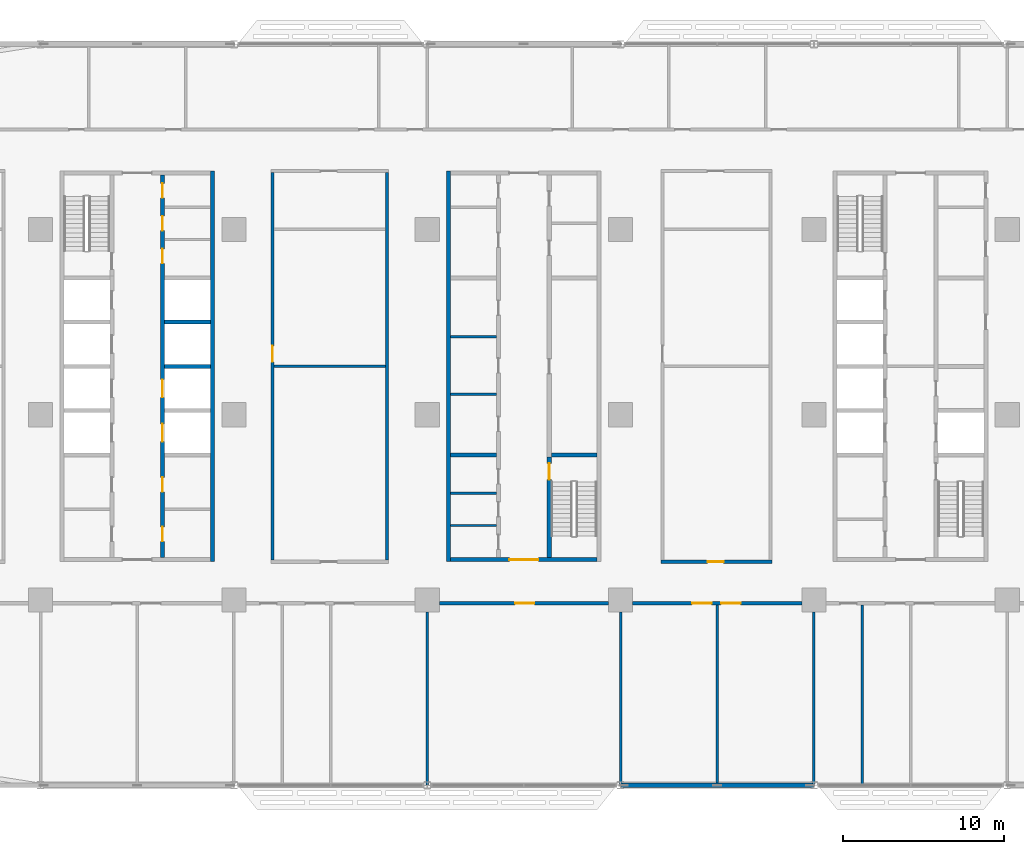
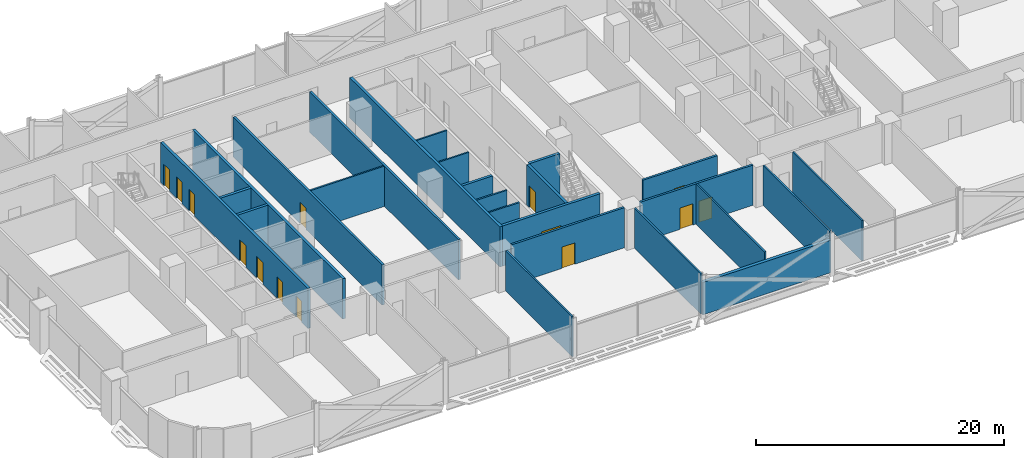
# One storey, part 13 of 30: 25 walls, 14 doors, 14 openings.
"""IFC4 building model written with IfcOpenShell, lengths in metres."""

import ifcopenshell
import ifcopenshell.guid

model = None  # the IFC model being written
_history = None  # IfcOwnerHistory: only IFC2X3 demands one
_inside = {}  # id of a spatial element -> (the spatial element, [elements in it])
_under = {}  # id of a project, library or spatial element -> (it, [spatial elements below it])
_declared = {}  # id of a project -> (the project, [libraries it declares])
_typed = {}  # id of a type object -> (the type object, [elements of that type])
_made_of = {}  # id of a material, layer set ... -> (it, [elements and type objects made of it])


def new_model(schema):
    """Start an empty IFC model of exactly this schema.

    Asked for "IFC4X3", IfcOpenShell would pick the latest addendum, in which some entities
    have other attributes; the version numbers below select the first issue.
    IFC2X3 requires an IfcOwnerHistory on every rooted entity: one is made here for all.
    """
    global model, _history
    if schema == "IFC4X3":
        model = ifcopenshell.file(schema_version=(4, 3, 0, 0))
    else:
        model = ifcopenshell.file(schema=schema)
    _inside.clear()
    _under.clear()
    _declared.clear()
    _typed.clear()
    _made_of.clear()
    _history = None
    if model.schema == "IFC2X3":
        org = make("IfcOrganization", Name="unknown")
        user = make(
            "IfcPersonAndOrganization",
            ThePerson=make("IfcPerson", FamilyName="unknown"),
            TheOrganization=org,
        )
        app = make(
            "IfcApplication",
            ApplicationDeveloper=org,
            Version="unknown",
            ApplicationFullName="unknown",
            ApplicationIdentifier="unknown",
        )
        _history = make(
            "IfcOwnerHistory",
            OwningUser=user,
            OwningApplication=app,
            ChangeAction="ADDED",
            CreationDate=0,
        )
    return model


def make(cls, **values):
    """One entity of the class cls with the attributes given. An attribute that is None is left unset."""
    return model.create_entity(
        cls, **{name: value for name, value in values.items() if value is not None}
    )


def rooted(cls, **values):
    """An entity with a GlobalId (a new one), such as an element, a storey or a relation."""
    return make(cls, GlobalId=ifcopenshell.guid.new(), OwnerHistory=_history, **values)


def si_unit(unit_type, name, prefix=None):
    """IfcSIUnit, for example si_unit("LENGTHUNIT", "METRE", prefix="MILLI")."""
    return make("IfcSIUnit", UnitType=unit_type, Prefix=prefix, Name=name)


def assignment(units):
    """IfcUnitAssignment: the units of a project."""
    return None if units is None else make("IfcUnitAssignment", Units=units)


def point(xyz):
    """IfcCartesianPoint."""
    return None if xyz is None else make("IfcCartesianPoint", Coordinates=xyz)


def direction(xyz):
    """IfcDirection."""
    return None if xyz is None else make("IfcDirection", DirectionRatios=xyz)


def frame(location, z_axis=None, x_axis=None):
    """IfcAxis2Placement3D, a coordinate frame: its origin and axes. An axis left out is left unset."""
    return make(
        "IfcAxis2Placement3D",
        Location=point(location),
        Axis=direction(z_axis),
        RefDirection=direction(x_axis),
    )


def frame_2d(location, x_axis=None):
    """IfcAxis2Placement2D, a coordinate frame in the plane: its origin and x axis."""
    return make(
        "IfcAxis2Placement2D", Location=point(location), RefDirection=direction(x_axis)
    )


def origin():
    """The frame at (0, 0, 0) with its axes left unset."""
    return frame((0.0, 0.0, 0.0))


def place(relative_to, where):
    """IfcLocalPlacement: puts the frame where relative to a parent placement (None: the world)."""
    return make(
        "IfcLocalPlacement", PlacementRelTo=relative_to, RelativePlacement=where
    )


def context(
    kind, dimensions, precision=None, world=None, true_north=None, identifier=None
):
    """IfcGeometricRepresentationContext, for example the 3D "Model" context."""
    return make(
        "IfcGeometricRepresentationContext",
        ContextIdentifier=identifier,
        ContextType=kind,
        CoordinateSpaceDimension=dimensions,
        Precision=precision,
        WorldCoordinateSystem=world,
        TrueNorth=true_north,
    )


def subcontext(parent, identifier, kind, view, scale=None):
    """IfcGeometricRepresentationSubContext, for example "Body" below "Model"."""
    return make(
        "IfcGeometricRepresentationSubContext",
        ContextIdentifier=identifier,
        ContextType=kind,
        ParentContext=parent,
        TargetScale=scale,
        TargetView=view,
    )


def project(units=None, contexts=None):
    """IfcProject with its units and contexts."""
    return rooted(
        "IfcProject",
        Name="project",
        RepresentationContexts=contexts,
        UnitsInContext=assignment(units),
    )


def spatial(cls, under=None, at=None, **own):
    """A site, building, storey or space (cls), placed at a placement, below another one or the project."""
    s = rooted(cls, ObjectPlacement=at, **own)
    if under is not None:
        _under.setdefault(under.id(), (under, []))[1].append(s)
    return s


def profile(cls, at=None, kind="AREA", **sizes):
    """A parametric profile (cls). Its sizes go by their IFC names, for example OverallWidth=200.0."""
    return make(cls, ProfileType=kind, Position=at, **sizes)


def rectangle(**sizes):
    """IfcRectangleProfileDef."""
    return profile("IfcRectangleProfileDef", **sizes)


def extrude(swept, where, along, depth):
    """IfcExtrudedAreaSolid: the profile swept, set in the frame where, extruded along a direction by depth."""
    return make(
        "IfcExtrudedAreaSolid",
        SweptArea=swept,
        Position=where,
        ExtrudedDirection=direction(along),
        Depth=depth,
    )


def shape(context_of_items, identifier, shape_type, items):
    """IfcShapeRepresentation: the items that make up one representation, for example the "Body"."""
    return make(
        "IfcShapeRepresentation",
        ContextOfItems=context_of_items,
        RepresentationIdentifier=identifier,
        RepresentationType=shape_type,
        Items=items,
    )


def material(Name=None, Category=None):
    """IfcMaterial."""
    return make("IfcMaterial", Name=Name, Category=Category)


def layer(
    of_material, thickness, ventilated=None, Name=None, Category=None, Priority=None
):
    """IfcMaterialLayer: one layer of a wall or slab, of a material (None: an air gap)."""
    return make(
        "IfcMaterialLayer",
        Material=of_material,
        LayerThickness=thickness,
        IsVentilated=ventilated,
        Name=Name,
        Category=Category,
        Priority=Priority,
    )


def layer_set(layers, Name=None):
    """IfcMaterialLayerSet."""
    return make("IfcMaterialLayerSet", MaterialLayers=layers, LayerSetName=Name)


def made_of(thing, what):
    """Note that an element or type object is made of a material, layer set ...; save() writes the relation."""
    if what is not None:
        _made_of.setdefault(what.id(), (what, []))[1].append(thing)
    return thing


def type_object(cls, material=None, **own):
    """A type object (cls), such as IfcWallType, which elements share."""
    return made_of(rooted(cls, **own), material)


def element(
    cls,
    number,
    at=None,
    inside=None,
    cuts=None,
    type_object=None,
    material=None,
    context=None,
    identifier="Body",
    shape_type=None,
    held_by="IfcProductDefinitionShape",
    body=None,
    shapes=None,
    **own,
):
    """One element of the class cls, such as IfcWall. Its Tag is "e" and its number.

    at: its placement. inside: the storey or other place that contains it. cuts: it is an
    opening in that element (IfcRelVoidsElement). A single representation is given by context,
    identifier, shape_type and body (its items); several are given by shapes. held_by: the class
    of the entity that holds the representations. save() writes the other relations.
    """
    e = rooted(cls, Tag="e%d" % number, ObjectPlacement=at, **own)
    if body is not None:
        shapes = [shape(context, identifier, shape_type, body)]
    if shapes is not None:
        e.Representation = make(held_by, Representations=shapes)
    if inside is not None:
        _inside.setdefault(inside.id(), (inside, []))[1].append(e)
    if cuts is not None:
        rooted(
            "IfcRelVoidsElement", RelatingBuildingElement=cuts, RelatedOpeningElement=e
        )
    if type_object is not None:
        _typed.setdefault(type_object.id(), (type_object, []))[1].append(e)
    return made_of(e, material)


def fill(opening, filler):
    """IfcRelFillsElement: the door or window that sits in an opening."""
    return rooted(
        "IfcRelFillsElement",
        RelatingOpeningElement=opening,
        RelatedBuildingElement=filler,
    )


def aggregate(whole, parts):
    """IfcRelAggregates: a whole, such as a stair, and the parts it consists of."""
    return rooted("IfcRelAggregates", RelatingObject=whole, RelatedObjects=parts)


def save(model, path):
    """Write the relations noted so far, then the file.

    IfcRelAggregates (storeys below a building ...), IfcRelContainedInSpatialStructure (elements
    in a storey), IfcRelDefinesByType, IfcRelAssociatesMaterial and IfcRelDeclares: one each for
    every whole, place, type object, material and project.
    """
    for whole, parts in _under.values():
        aggregate(whole, parts)
    for where, things in _inside.values():
        rooted(
            "IfcRelContainedInSpatialStructure",
            RelatedElements=things,
            RelatingStructure=where,
        )
    for kind, things in _typed.values():
        rooted("IfcRelDefinesByType", RelatedObjects=things, RelatingType=kind)
    for what, things in _made_of.values():
        rooted("IfcRelAssociatesMaterial", RelatedObjects=things, RelatingMaterial=what)
    for by, libraries in _declared.values():
        rooted("IfcRelDeclares", RelatingContext=by, RelatedDefinitions=libraries)
    model.write(path)


model = new_model("IFC4")

# Units and contexts
model_context = context("Model", 3, precision=1e-05, world=origin(), true_north=direction((0.0, 1.0)))
body_context = subcontext(model_context, "Body", "Model", "MODEL_VIEW")
ifc_project = project(units=[si_unit("LENGTHUNIT", "METRE"), si_unit("AREAUNIT", "SQUARE_METRE"), si_unit("VOLUMEUNIT", "CUBIC_METRE"), si_unit("PLANEANGLEUNIT", "RADIAN"), si_unit("MASSUNIT", "GRAM", prefix="KILO")], contexts=[model_context])

# Site, building, storey
site_placement = place(None, origin())
site = spatial("IfcSite", under=ifc_project, at=site_placement, CompositionType="ELEMENT")
building_placement = place(site_placement, origin())
building = spatial("IfcBuilding", under=site, at=building_placement, Name="Mahtab Terrace Research Tower", CompositionType="ELEMENT")
storey_placement = place(building_placement, frame((0.0, 0.0, 50.300048828125)))
storey = spatial("IfcBuildingStorey", under=building, at=storey_placement, Name="L11", CompositionType="ELEMENT", Elevation=50.300048828125)

# Walls
ifc_material_1 = material(Name="Gypsum board partition")
ifc_layer_1 = layer(ifc_material_1, 0.14990234375)
ifc_layer_set_1 = layer_set([ifc_layer_1], Name="Core partition 150")
wall_type_1 = type_object("IfcWallType", Name="Core partition 150", PredefinedType="PARTITIONING", material=ifc_layer_set_1)
for number, where, z_axis, x_axis, name in (
    (1, (-4.550048828125, 1.280029296875, 0.0), (0.0, 0.0, 1.0), (1.0, 0.0, 0.0), "Core wall B pWL-172"),
    (2, (-4.550048828125, 4.827392578125, 0.0), (0.0, 0.0, 1.0), (1.0, 0.0, 0.0), "Core wall B pWL183"),
    (3, (-4.550048828125, -6.875, 0.0), (0.0, 0.0, 1.0), (1.0, 0.0, 0.0), "Core wall B pWS-988"),
    (4, (-4.550048828125, -4.875, 0.0), (0.0, 0.0, 1.0), (1.0, 0.0, 0.0), "Core wall B pWS-788"),
):
    element("IfcWall", number, at=place(storey_placement, frame(where, z_axis=z_axis, x_axis=x_axis)), inside=storey, type_object=wall_type_1, Name=name, PredefinedType="PARTITIONING", context=body_context, shape_type="SweptSolid", body=[
        extrude(rectangle(XDim=2.85009765625, YDim=0.14990234375, at=frame_2d((1.425048828125, 0.0))), origin(), (0.0, 0.0, 1.0), 3.9599609375),
    ])
ifc_material_2 = material(Name="Concrete C70/85", Category="concrete")
ifc_layer_2 = layer(ifc_material_2, 0.25)
ifc_layer_set_2 = layer_set([ifc_layer_2], Name="Core wall 250")
wall_type_2 = type_object("IfcWallType", Name="Core wall 250", PredefinedType="SOLIDWALL", material=ifc_layer_set_2)
wall_1_placement = place(storey_placement, frame((-19.324951171875, -9.125, 0.0), z_axis=(0.0, 0.0, 1.0), x_axis=(0.0, 1.0, 0.0)))
element("IfcWall", 5, at=wall_1_placement, inside=storey, type_object=wall_type_2, Name="Core wall A outerE", PredefinedType="SOLIDWALL", context=body_context, shape_type="SweptSolid", body=[
    extrude(rectangle(XDim=24.25, YDim=0.25, at=frame_2d((12.125, 0.0))), origin(), (0.0, 0.0, 1.0), 3.9599609375),
])

# Wall, openings, doors
wall_2_placement = place(storey_placement, frame((-22.425048828125, 14.875, 0.0), z_axis=(0.0, 0.0, 1.0), x_axis=(0.0, -1.0, 0.0)))
wall_2 = element("IfcWall", 6, at=wall_2_placement, inside=storey, type_object=wall_type_2, Name="Core wall A innerESLN", PredefinedType="SOLIDWALL", context=body_context, shape_type="SweptSolid", body=[
    extrude(rectangle(XDim=23.75, YDim=0.25, at=frame_2d((11.875, 0.0))), origin(), (0.0, 0.0, 1.0), 3.9599609375),
])
opening_1_placement = place(wall_2_placement, frame((15.449951171875, 0.0, 0.0)))
opening_1 = element("IfcOpeningElement", 7, at=opening_1_placement, cuts=wall_2, Name="Opening LD05-L11", PredefinedType="OPENING", context=body_context, shape_type="SweptSolid", body=[
    extrude(rectangle(XDim=1.10009765625, YDim=2.10009765625, at=frame_2d((0.550048828125, 1.050048828125))), frame((0.0, 0.135009765625, 0.0), z_axis=(0.0, -1.0, 0.0), x_axis=(1.0, 0.0, 0.0)), (0.0, 0.0, 1.0), 0.27001953125),
])
opening_2_placement = place(wall_2_placement, frame((12.699951171875, 0.0, 0.0)))
opening_2 = element("IfcOpeningElement", 8, at=opening_2_placement, cuts=wall_2, Name="Opening LD06-L11", PredefinedType="OPENING", context=body_context, shape_type="SweptSolid", body=[
    extrude(rectangle(XDim=1.10009765625, YDim=2.10009765625, at=frame_2d((0.550048828125, 1.050048828125))), frame((0.0, 0.135009765625, 0.0), z_axis=(0.0, -1.0, 0.0), x_axis=(1.0, 0.0, 0.0)), (0.0, 0.0, 1.0), 0.27001953125),
])
opening_3_placement = place(wall_2_placement, frame((21.83740234375, 0.0, 0.0)))
opening_3 = element("IfcOpeningElement", 9, at=opening_3_placement, cuts=wall_2, Name="Opening A-R3", PredefinedType="OPENING", context=body_context, shape_type="SweptSolid", body=[
    extrude(rectangle(XDim=0.89990234375, YDim=2.10009765625, at=frame_2d((0.449951171875, 1.050048828125))), frame((0.0, 0.135009765625, 0.0), z_axis=(0.0, -1.0, 0.0), x_axis=(1.0, 0.0, 0.0)), (0.0, 0.0, 1.0), 0.27001953125),
])
opening_4_placement = place(wall_2_placement, frame((18.762451171875, 0.0, 0.0)))
opening_4 = element("IfcOpeningElement", 10, at=opening_4_placement, cuts=wall_2, Name="Opening A-R4", PredefinedType="OPENING", context=body_context, shape_type="SweptSolid", body=[
    extrude(rectangle(XDim=0.89990234375, YDim=2.10009765625, at=frame_2d((0.449951171875, 1.050048828125))), frame((0.0, 0.135009765625, 0.0), z_axis=(0.0, -1.0, 0.0), x_axis=(1.0, 0.0, 0.0)), (0.0, 0.0, 1.0), 0.27001953125),
])
opening_5_placement = place(wall_2_placement, frame((4.58740234375, 0.0, 0.0)))
opening_5 = element("IfcOpeningElement", 11, at=opening_5_placement, cuts=wall_2, Name="Opening A-R5", PredefinedType="OPENING", context=body_context, shape_type="SweptSolid", body=[
    extrude(rectangle(XDim=0.89990234375, YDim=2.10009765625, at=frame_2d((0.449951171875, 1.050048828125))), frame((0.0, 0.135009765625, 0.0), z_axis=(0.0, -1.0, 0.0), x_axis=(1.0, 0.0, 0.0)), (0.0, 0.0, 1.0), 0.27001953125),
])
opening_6_placement = place(wall_2_placement, frame((2.550048828125, 0.0, 0.0)))
opening_6 = element("IfcOpeningElement", 12, at=opening_6_placement, cuts=wall_2, Name="Opening A-R6", PredefinedType="OPENING", context=body_context, shape_type="SweptSolid", body=[
    extrude(rectangle(XDim=0.89990234375, YDim=2.10009765625, at=frame_2d((0.449951171875, 1.050048828125))), frame((0.0, 0.135009765625, 0.0), z_axis=(0.0, -1.0, 0.0), x_axis=(1.0, 0.0, 0.0)), (0.0, 0.0, 1.0), 0.27001953125),
])
opening_7_placement = place(wall_2_placement, frame((0.512451171875, 0.0, 0.0)))
opening_7 = element("IfcOpeningElement", 13, at=opening_7_placement, cuts=wall_2, Name="Opening A-R7", PredefinedType="OPENING", context=body_context, shape_type="SweptSolid", body=[
    extrude(rectangle(XDim=0.89990234375, YDim=2.10009765625, at=frame_2d((0.449951171875, 1.050048828125))), frame((0.0, 0.135009765625, 0.0), z_axis=(0.0, -1.0, 0.0), x_axis=(1.0, 0.0, 0.0)), (0.0, 0.0, 1.0), 0.27001953125),
])
ifc_material_3 = material(Name="Stainless steel AISI 304", Category="steel")
door_type_1 = type_object("IfcDoorType", Name="Landing door 1100x2100", OperationType="DOUBLE_DOOR_SLIDING", PredefinedType="DOOR", material=ifc_material_3)
door_1_placement = place(opening_1_placement, origin())
door_1 = element("IfcDoor", 14, at=door_1_placement, inside=storey, type_object=door_type_1, Name="Landing door LR5 L11", OperationType="DOUBLE_DOOR_SLIDING", OverallHeight=2.10009765625, OverallWidth=1.10009765625, PredefinedType="DOOR", context=body_context, shape_type="SweptSolid", body=[
    extrude(rectangle(XDim=1.10009765625, YDim=2.10009765625, at=frame_2d((0.550048828125, 1.050048828125))), frame((0.0, 0.02490234375, 0.0), z_axis=(0.0, -1.0, 0.0), x_axis=(1.0, 0.0, 0.0)), (0.0, 0.0, 1.0), 0.050048828125),
])
fill(opening_1, door_1)
door_2_placement = place(opening_2_placement, origin())
door_2 = element("IfcDoor", 15, at=door_2_placement, inside=storey, type_object=door_type_1, Name="Landing door LR6 L11", OperationType="DOUBLE_DOOR_SLIDING", OverallHeight=2.10009765625, OverallWidth=1.10009765625, PredefinedType="DOOR", context=body_context, shape_type="SweptSolid", body=[
    extrude(rectangle(XDim=1.10009765625, YDim=2.10009765625, at=frame_2d((0.550048828125, 1.050048828125))), frame((0.0, 0.02490234375, 0.0), z_axis=(0.0, -1.0, 0.0), x_axis=(1.0, 0.0, 0.0)), (0.0, 0.0, 1.0), 0.050048828125),
])
fill(opening_2, door_2)
ifc_material_4 = material(Name="Steel fire door", Category="steel")
door_type_2 = type_object("IfcDoorType", Name="Room door 900x2100 1 HR", OperationType="NOTDEFINED", PredefinedType="DOOR", material=ifc_material_4)
door_3_placement = place(opening_3_placement, origin())
door_3 = element("IfcDoor", 16, at=door_3_placement, inside=storey, type_object=door_type_2, Name="Housekeeping store door", OperationType="SINGLE_SWING_LEFT", OverallHeight=2.10009765625, OverallWidth=0.89990234375, PredefinedType="DOOR", context=body_context, shape_type="SweptSolid", body=[
    extrude(rectangle(XDim=0.89990234375, YDim=2.10009765625, at=frame_2d((0.449951171875, 1.050048828125))), frame((0.0, 0.02490234375, 0.0), z_axis=(0.0, -1.0, 0.0), x_axis=(1.0, 0.0, 0.0)), (0.0, 0.0, 1.0), 0.050048828125),
])
fill(opening_3, door_3)
door_4_placement = place(opening_4_placement, origin())
door_4 = element("IfcDoor", 17, at=door_4_placement, inside=storey, type_object=door_type_2, Name="Electrical riser room door", OperationType="SINGLE_SWING_RIGHT", OverallHeight=2.10009765625, OverallWidth=0.89990234375, PredefinedType="DOOR", context=body_context, shape_type="SweptSolid", body=[
    extrude(rectangle(XDim=0.89990234375, YDim=2.10009765625, at=frame_2d((0.449951171875, 1.050048828125))), frame((0.0, 0.02490234375, 0.0), z_axis=(0.0, -1.0, 0.0), x_axis=(1.0, 0.0, 0.0)), (0.0, 0.0, 1.0), 0.050048828125),
])
fill(opening_4, door_4)
door_5_placement = place(opening_5_placement, origin())
door_5 = element("IfcDoor", 18, at=door_5_placement, inside=storey, type_object=door_type_2, Name="Comms riser room door", OperationType="SINGLE_SWING_LEFT", OverallHeight=2.10009765625, OverallWidth=0.89990234375, PredefinedType="DOOR", context=body_context, shape_type="SweptSolid", body=[
    extrude(rectangle(XDim=0.89990234375, YDim=2.10009765625, at=frame_2d((0.449951171875, 1.050048828125))), frame((0.0, 0.02490234375, 0.0), z_axis=(0.0, -1.0, 0.0), x_axis=(1.0, 0.0, 0.0)), (0.0, 0.0, 1.0), 0.050048828125),
])
fill(opening_5, door_5)
door_6_placement = place(opening_6_placement, origin())
door_6 = element("IfcDoor", 19, at=door_6_placement, inside=storey, type_object=door_type_2, Name="Pantry door", OperationType="SINGLE_SWING_RIGHT", OverallHeight=2.10009765625, OverallWidth=0.89990234375, PredefinedType="DOOR", context=body_context, shape_type="SweptSolid", body=[
    extrude(rectangle(XDim=0.89990234375, YDim=2.10009765625, at=frame_2d((0.449951171875, 1.050048828125))), frame((0.0, 0.02490234375, 0.0), z_axis=(0.0, -1.0, 0.0), x_axis=(1.0, 0.0, 0.0)), (0.0, 0.0, 1.0), 0.050048828125),
])
fill(opening_6, door_6)
door_7_placement = place(opening_7_placement, origin())
door_7 = element("IfcDoor", 20, at=door_7_placement, inside=storey, type_object=door_type_2, Name="Cleaners store door", OperationType="SINGLE_SWING_LEFT", OverallHeight=2.10009765625, OverallWidth=0.89990234375, PredefinedType="DOOR", context=body_context, shape_type="SweptSolid", body=[
    extrude(rectangle(XDim=0.89990234375, YDim=2.10009765625, at=frame_2d((0.449951171875, 1.050048828125))), frame((0.0, 0.02490234375, 0.0), z_axis=(0.0, -1.0, 0.0), x_axis=(1.0, 0.0, 0.0)), (0.0, 0.0, 1.0), 0.050048828125),
])
fill(opening_7, door_7)

# Walls
for number, where, z_axis, x_axis, name in (
    (21, (-22.300048828125, 3.0, 0.0), (0.0, 0.0, 1.0), (1.0, 0.0, 0.0), "Core wall A divE2"),
    (22, (-22.300048828125, 5.75, 0.0), (0.0, 0.0, 1.0), (1.0, 0.0, 0.0), "Core wall A divE3"),
):
    element("IfcWall", number, at=place(storey_placement, frame(where, z_axis=z_axis, x_axis=x_axis)), inside=storey, type_object=wall_type_2, Name=name, PredefinedType="SOLIDWALL", context=body_context, shape_type="SweptSolid", body=[
        extrude(rectangle(XDim=2.85009765625, YDim=0.25, at=frame_2d((1.425048828125, 0.0))), origin(), (0.0, 0.0, 1.0), 3.9599609375),
    ])
wall_3_placement = place(storey_placement, frame((-4.675048828125, 15.125, 0.0), z_axis=(0.0, 0.0, 1.0), x_axis=(0.0, -1.0, 0.0)))
element("IfcWall", 23, at=wall_3_placement, inside=storey, type_object=wall_type_2, Name="Core wall B outerW", PredefinedType="SOLIDWALL", context=body_context, shape_type="SweptSolid", body=[
    extrude(rectangle(XDim=24.25, YDim=0.25, at=frame_2d((12.125, 0.0))), origin(), (0.0, 0.0, 1.0), 3.9599609375),
])

# Wall, opening, door
wall_4_placement = place(storey_placement, frame((4.550048828125, -9.0, 0.0), z_axis=(0.0, 0.0, 1.0), x_axis=(-1.0, 0.0, 0.0)))
wall_4 = element("IfcWall", 24, at=wall_4_placement, inside=storey, type_object=wall_type_2, Name="Core wall B endS", PredefinedType="SOLIDWALL", context=body_context, shape_type="SweptSolid", body=[
    extrude(rectangle(XDim=9.10009765625, YDim=0.25, at=frame_2d((4.550048828125, 0.0))), origin(), (0.0, 0.0, 1.0), 3.9599609375),
])
opening_8_placement = place(wall_4_placement, frame((3.64990234375, 0.0, 0.0)))
opening_8 = element("IfcOpeningElement", 25, at=opening_8_placement, cuts=wall_4, Name="Opening B-S1", PredefinedType="OPENING", context=body_context, shape_type="SweptSolid", body=[
    extrude(rectangle(XDim=1.800048828125, YDim=2.10009765625, at=frame_2d((0.89990234375, 1.050048828125))), frame((0.0, 0.135009765625, 0.0), z_axis=(0.0, -1.0, 0.0), x_axis=(1.0, 0.0, 0.0)), (0.0, 0.0, 1.0), 0.27001953125),
])
door_type_3 = type_object("IfcDoorType", Name="Lobby double door 1800x2100 1 HR", OperationType="DOUBLE_DOOR_SINGLE_SWING", PredefinedType="DOOR", material=ifc_material_4)
door_8_placement = place(opening_8_placement, origin())
door_8 = element("IfcDoor", 26, at=door_8_placement, inside=storey, type_object=door_type_3, Name="Core entrance door B S", OperationType="DOUBLE_DOOR_SINGLE_SWING", OverallHeight=2.10009765625, OverallWidth=1.800048828125, PredefinedType="DOOR", context=body_context, shape_type="SweptSolid", body=[
    extrude(rectangle(XDim=1.800048828125, YDim=2.10009765625, at=frame_2d((0.89990234375, 1.050048828125))), frame((0.0, 0.02490234375, 0.0), z_axis=(0.0, -1.0, 0.0), x_axis=(1.0, 0.0, 0.0)), (0.0, 0.0, 1.0), 0.050048828125),
])
fill(opening_8, door_8)

wall_5_placement = place(storey_placement, frame((1.574951171875, -8.875, 0.0), z_axis=(0.0, 0.0, 1.0), x_axis=(0.0, 1.0, 0.0)))
wall_5 = element("IfcWall", 27, at=wall_5_placement, inside=storey, type_object=wall_type_2, Name="Core wall B innerES", PredefinedType="SOLIDWALL", context=body_context, shape_type="SweptSolid", body=[
    extrude(rectangle(XDim=6.25, YDim=0.25, at=frame_2d((3.125, 0.0))), origin(), (0.0, 0.0, 1.0), 3.9599609375),
])
opening_9_placement = place(wall_5_placement, frame((4.85009765625, 0.0, 0.0)))
opening_9 = element("IfcOpeningElement", 28, at=opening_9_placement, cuts=wall_5, Name="Opening B-ST2", PredefinedType="OPENING", context=body_context, shape_type="SweptSolid", body=[
    extrude(rectangle(XDim=1.0, YDim=2.10009765625, at=frame_2d((0.5, 1.050048828125))), frame((0.0, 0.135009765625, 0.0), z_axis=(0.0, -1.0, 0.0), x_axis=(1.0, 0.0, 0.0)), (0.0, 0.0, 1.0), 0.27001953125),
])
door_type_4 = type_object("IfcDoorType", Name="Stair door 1000x2100 1.5 HR", OperationType="NOTDEFINED", PredefinedType="DOOR", material=ifc_material_4)
door_9_placement = place(opening_9_placement, origin())
door_9 = element("IfcDoor", 29, at=door_9_placement, inside=storey, type_object=door_type_4, Name="Stair door ST2 L11", OperationType="SINGLE_SWING_RIGHT", OverallHeight=2.10009765625, OverallWidth=1.0, PredefinedType="DOOR", context=body_context, shape_type="SweptSolid", body=[
    extrude(rectangle(XDim=1.0, YDim=2.10009765625, at=frame_2d((0.5, 1.050048828125))), frame((0.0, 0.02490234375, 0.0), z_axis=(0.0, -1.0, 0.0), x_axis=(1.0, 0.0, 0.0)), (0.0, 0.0, 1.0), 0.050048828125),
])
fill(opening_9, door_9)

# Walls
for number, where, z_axis, x_axis, name in (
    (30, (-4.550048828125, -2.5, 0.0), (0.0, 0.0, 1.0), (1.0, 0.0, 0.0), "Core wall B divW0"),
    (31, (1.699951171875, -2.5, 0.0), (0.0, 0.0, 1.0), (1.0, 0.0, 0.0), "Core wall B divE0"),
):
    element("IfcWall", number, at=place(storey_placement, frame(where, z_axis=z_axis, x_axis=x_axis)), inside=storey, type_object=wall_type_2, Name=name, PredefinedType="SOLIDWALL", context=body_context, shape_type="SweptSolid", body=[
        extrude(rectangle(XDim=2.85009765625, YDim=0.25, at=frame_2d((1.425048828125, 0.0))), origin(), (0.0, 0.0, 1.0), 3.9599609375),
    ])
ifc_material_5 = material(Name="Black aluminium cladding panel", Category="aluminium")
ifc_layer_3 = layer(ifc_material_5, 0.300048828125)
ifc_layer_set_3 = layer_set([ifc_layer_3], Name="Opaque facade wall 300")
wall_type_3 = type_object("IfcWallType", Name="Opaque facade wall 300", PredefinedType="NOTDEFINED", material=ifc_layer_set_3)
wall_6_placement = place(storey_placement, frame((6.02392578125, -23.0, 0.0), z_axis=(0.0, 0.0, 1.0), x_axis=(1.0, 0.0, 0.0)))
element("IfcWall", 32, at=wall_6_placement, inside=storey, type_object=wall_type_3, Name="Opaque facade wall L11 S27", PredefinedType="NOTDEFINED", context=body_context, shape_type="SweptSolid", body=[
    extrude(rectangle(XDim=11.9521484375, YDim=0.300048828125, at=frame_2d((5.97607421875, 0.0))), origin(), (0.0, 0.0, 1.0), 3.203125),
])

# Wall, opening, door
ifc_material_6 = material(Name="Gypsum board corridor wall on steel studs", Category="steel")
ifc_layer_4 = layer(ifc_material_6, 0.199951171875)
ifc_layer_set_4 = layer_set([ifc_layer_4], Name="WALL CORRIDOR 200")
wall_type_4 = type_object("IfcWallType", Name="WALL CORRIDOR 200", PredefinedType="PARTITIONING", material=ifc_layer_set_4)
wall_7_placement = place(storey_placement, frame((-5.25, -11.699951171875, 0.0), z_axis=(0.0, 0.0, 1.0), x_axis=(1.0, 0.0, 0.0)))
wall_7 = element("IfcWall", 33, at=wall_7_placement, inside=storey, type_object=wall_type_4, Name="L11-W004", PredefinedType="PARTITIONING", context=body_context, shape_type="SweptSolid", body=[
    extrude(rectangle(XDim=10.5, YDim=0.199951171875, at=frame_2d((5.25, 0.0))), origin(), (0.0, 0.0, 1.0), 3.9599609375),
])
opening_10_placement = place(wall_7_placement, frame((4.699951171875, 0.0, 0.0)))
opening_10 = element("IfcOpeningElement", 34, at=opening_10_placement, cuts=wall_7, Name="Opening L11-107", PredefinedType="OPENING", context=body_context, shape_type="SweptSolid", body=[
    extrude(rectangle(XDim=1.199951171875, YDim=2.10009765625, at=frame_2d((0.60009765625, 1.050048828125))), frame((0.0, 0.10986328125, 0.0), z_axis=(0.0, -1.0, 0.0), x_axis=(1.0, 0.0, 0.0)), (0.0, 0.0, 1.0), 0.219970703125),
])
ifc_material_7 = material(Name="Timber door leaf in steel frame", Category="steel")
door_type_5 = type_object("IfcDoorType", Name="DOOR 1200X2100 FD30S", OperationType="SINGLE_SWING_LEFT", PredefinedType="DOOR", material=ifc_material_7)
door_10_placement = place(opening_10_placement, origin())
door_10 = element("IfcDoor", 35, at=door_10_placement, inside=storey, type_object=door_type_5, Name="Door L11-107", OperationType="SINGLE_SWING_LEFT", OverallHeight=2.10009765625, OverallWidth=1.199951171875, PredefinedType="DOOR", context=body_context, shape_type="SweptSolid", body=[
    extrude(rectangle(XDim=1.199951171875, YDim=2.10009765625, at=frame_2d((0.60009765625, 1.050048828125))), frame((0.0, 0.02490234375, 0.0), z_axis=(0.0, -1.0, 0.0), x_axis=(1.0, 0.0, 0.0)), (0.0, 0.0, 1.0), 0.050048828125),
])
fill(opening_10, door_10)

# Wall, openings, doors
wall_8_placement = place(storey_placement, frame((6.75, -11.699951171875, 0.0), z_axis=(0.0, 0.0, 1.0), x_axis=(1.0, 0.0, 0.0)))
wall_8 = element("IfcWall", 36, at=wall_8_placement, inside=storey, type_object=wall_type_4, Name="L11-W005", PredefinedType="PARTITIONING", context=body_context, shape_type="SweptSolid", body=[
    extrude(rectangle(XDim=10.5, YDim=0.199951171875, at=frame_2d((5.25, 0.0))), origin(), (0.0, 0.0, 1.0), 3.9599609375),
])
opening_11_placement = place(wall_8_placement, frame((3.699951171875, 0.0, 0.0)))
opening_11 = element("IfcOpeningElement", 37, at=opening_11_placement, cuts=wall_8, Name="Opening L11-108", PredefinedType="OPENING", context=body_context, shape_type="SweptSolid", body=[
    extrude(rectangle(XDim=1.199951171875, YDim=2.10009765625, at=frame_2d((0.60009765625, 1.050048828125))), frame((0.0, 0.10986328125, 0.0), z_axis=(0.0, -1.0, 0.0), x_axis=(1.0, 0.0, 0.0)), (0.0, 0.0, 1.0), 0.219970703125),
])
opening_12_placement = place(wall_8_placement, frame((5.5, 0.0, 0.0)))
opening_12 = element("IfcOpeningElement", 38, at=opening_12_placement, cuts=wall_8, Name="Opening L11-109", PredefinedType="OPENING", context=body_context, shape_type="SweptSolid", body=[
    extrude(rectangle(XDim=1.199951171875, YDim=2.10009765625, at=frame_2d((0.60009765625, 1.050048828125))), frame((0.0, 0.10986328125, 0.0), z_axis=(0.0, -1.0, 0.0), x_axis=(1.0, 0.0, 0.0)), (0.0, 0.0, 1.0), 0.219970703125),
])
door_11_placement = place(opening_11_placement, origin())
door_11 = element("IfcDoor", 39, at=door_11_placement, inside=storey, type_object=door_type_5, Name="Door L11-108", OperationType="SINGLE_SWING_RIGHT", OverallHeight=2.10009765625, OverallWidth=1.199951171875, PredefinedType="DOOR", context=body_context, shape_type="SweptSolid", body=[
    extrude(rectangle(XDim=1.199951171875, YDim=2.10009765625, at=frame_2d((0.60009765625, 1.050048828125))), frame((0.0, 0.02490234375, 0.0), z_axis=(0.0, -1.0, 0.0), x_axis=(1.0, 0.0, 0.0)), (0.0, 0.0, 1.0), 0.050048828125),
])
fill(opening_11, door_11)
door_12_placement = place(opening_12_placement, origin())
door_12 = element("IfcDoor", 40, at=door_12_placement, inside=storey, type_object=door_type_5, Name="Door L11-109", OperationType="SINGLE_SWING_LEFT", OverallHeight=2.10009765625, OverallWidth=1.199951171875, PredefinedType="DOOR", context=body_context, shape_type="SweptSolid", body=[
    extrude(rectangle(XDim=1.199951171875, YDim=2.10009765625, at=frame_2d((0.60009765625, 1.050048828125))), frame((0.0, 0.02490234375, 0.0), z_axis=(0.0, -1.0, 0.0), x_axis=(1.0, 0.0, 0.0)), (0.0, 0.0, 1.0), 0.050048828125),
])
fill(opening_12, door_12)

# Wall, opening, door
wall_9_placement = place(storey_placement, frame((8.5, -9.125, 0.0), z_axis=(0.0, 0.0, 1.0), x_axis=(1.0, 0.0, 0.0)))
wall_9 = element("IfcWall", 41, at=wall_9_placement, inside=storey, type_object=wall_type_4, Name="L11-W011", PredefinedType="PARTITIONING", context=body_context, shape_type="SweptSolid", body=[
    extrude(rectangle(XDim=6.89990234375, YDim=0.199951171875, at=frame_2d((3.449951171875, 0.0))), origin(), (0.0, 0.0, 1.0), 3.9599609375),
])
opening_13_placement = place(wall_9_placement, frame((2.89990234375, 0.0, 0.0)))
opening_13 = element("IfcOpeningElement", 42, at=opening_13_placement, cuts=wall_9, Name="Opening L11-118", PredefinedType="OPENING", context=body_context, shape_type="SweptSolid", body=[
    extrude(rectangle(XDim=1.0, YDim=2.10009765625, at=frame_2d((0.5, 1.050048828125))), frame((0.0, 0.10986328125, 0.0), z_axis=(0.0, -1.0, 0.0), x_axis=(1.0, 0.0, 0.0)), (0.0, 0.0, 1.0), 0.219970703125),
])
door_type_6 = type_object("IfcDoorType", Name="DOOR 1000X2100 FD30S", OperationType="SINGLE_SWING_LEFT", PredefinedType="DOOR", material=ifc_material_7)
door_13_placement = place(opening_13_placement, origin())
door_13 = element("IfcDoor", 43, at=door_13_placement, inside=storey, type_object=door_type_6, Name="Door L11-118", OperationType="SINGLE_SWING_LEFT", OverallHeight=2.10009765625, OverallWidth=1.0, PredefinedType="DOOR", context=body_context, shape_type="SweptSolid", body=[
    extrude(rectangle(XDim=1.0, YDim=2.10009765625, at=frame_2d((0.5, 1.050048828125))), frame((0.0, 0.02490234375, 0.0), z_axis=(0.0, -1.0, 0.0), x_axis=(1.0, 0.0, 0.0)), (0.0, 0.0, 1.0), 0.050048828125),
])
fill(opening_13, door_13)

wall_10_placement = place(storey_placement, frame((-15.60009765625, -9.02490234375, 0.0), z_axis=(0.0, 0.0, 1.0), x_axis=(0.0, 1.0, 0.0)))
wall_10 = element("IfcWall", 44, at=wall_10_placement, inside=storey, type_object=wall_type_4, Name="L11-W035", PredefinedType="PARTITIONING", context=body_context, shape_type="SweptSolid", body=[
    extrude(rectangle(XDim=24.0498046875, YDim=0.199951171875, at=frame_2d((12.02490234375, 0.0))), origin(), (0.0, 0.0, 1.0), 3.9599609375),
])
opening_14_placement = place(wall_10_placement, frame((12.300048828125, 0.0, 0.0)))
opening_14 = element("IfcOpeningElement", 45, at=opening_14_placement, cuts=wall_10, Name="Opening L11-122", PredefinedType="OPENING", context=body_context, shape_type="SweptSolid", body=[
    extrude(rectangle(XDim=1.0, YDim=2.10009765625, at=frame_2d((0.5, 1.050048828125))), frame((0.0, 0.10986328125, 0.0), z_axis=(0.0, -1.0, 0.0), x_axis=(1.0, 0.0, 0.0)), (0.0, 0.0, 1.0), 0.219970703125),
])
door_14_placement = place(opening_14_placement, origin())
door_14 = element("IfcDoor", 46, at=door_14_placement, inside=storey, type_object=door_type_6, Name="Door L11-122", OperationType="SINGLE_SWING_LEFT", OverallHeight=2.10009765625, OverallWidth=1.0, PredefinedType="DOOR", context=body_context, shape_type="SweptSolid", body=[
    extrude(rectangle(XDim=1.0, YDim=2.10009765625, at=frame_2d((0.5, 1.050048828125))), frame((0.0, 0.02490234375, 0.0), z_axis=(0.0, -1.0, 0.0), x_axis=(1.0, 0.0, 0.0)), (0.0, 0.0, 1.0), 0.050048828125),
])
fill(opening_14, door_14)

# Walls
wall_11_placement = place(storey_placement, frame((-8.5, -9.02490234375, 0.0), z_axis=(0.0, 0.0, 1.0), x_axis=(0.0, 1.0, 0.0)))
element("IfcWall", 47, at=wall_11_placement, inside=storey, type_object=wall_type_4, Name="L11-W039", PredefinedType="PARTITIONING", context=body_context, shape_type="SweptSolid", body=[
    extrude(rectangle(XDim=24.0498046875, YDim=0.199951171875, at=frame_2d((12.02490234375, 0.0))), origin(), (0.0, 0.0, 1.0), 3.9599609375),
])
ifc_material_8 = material(Name="Gypsum board partition on steel studs", Category="steel")
ifc_layer_5 = layer(ifc_material_8, 0.14990234375)
ifc_layer_set_5 = layer_set([ifc_layer_5], Name="WALL PARTITION 150")
wall_type_5 = type_object("IfcWallType", Name="WALL PARTITION 150", PredefinedType="PARTITIONING", material=ifc_layer_set_5)
wall_12_placement = place(storey_placement, frame((-15.5, 3.0, 0.0), z_axis=(0.0, 0.0, 1.0), x_axis=(1.0, 0.0, 0.0)))
element("IfcWall", 48, at=wall_12_placement, inside=storey, type_object=wall_type_5, Name="L11-W014", PredefinedType="PARTITIONING", context=body_context, shape_type="SweptSolid", body=[
    extrude(rectangle(XDim=6.89990234375, YDim=0.14990234375, at=frame_2d((3.449951171875, 0.0))), origin(), (0.0, 0.0, 1.0), 3.9599609375),
])
for number, where, z_axis, x_axis, name in (
    (49, (-6.0, -22.97509765625, 0.0), (0.0, 0.0, 1.0), (0.0, 1.0, 0.0), "L11-W040"),
    (50, (6.0, -22.97509765625, 0.0), (0.0, 0.0, 1.0), (0.0, 1.0, 0.0), "L11-W043"),
):
    element("IfcWall", number, at=place(storey_placement, frame(where, z_axis=z_axis, x_axis=x_axis)), inside=storey, type_object=wall_type_5, Name=name, PredefinedType="PARTITIONING", context=body_context, shape_type="SweptSolid", body=[
        extrude(rectangle(XDim=10.72509765625, YDim=0.14990234375, at=frame_2d((5.362548828125, 0.0))), origin(), (0.0, 0.0, 1.0), 3.9599609375),
    ])
wall_13_placement = place(storey_placement, frame((12.0, -22.85009765625, 0.0), z_axis=(0.0, 0.0, 1.0), x_axis=(0.0, 1.0, 0.0)))
element("IfcWall", 51, at=wall_13_placement, inside=storey, type_object=wall_type_5, Name="L11-W046", PredefinedType="PARTITIONING", context=body_context, shape_type="SweptSolid", body=[
    extrude(rectangle(XDim=11.050048828125, YDim=0.14990234375, at=frame_2d((5.52490234375, 0.0))), origin(), (0.0, 0.0, 1.0), 3.9599609375),
])
wall_14_placement = place(storey_placement, frame((18.0, -22.97509765625, 0.0), z_axis=(0.0, 0.0, 1.0), x_axis=(0.0, 1.0, 0.0)))
element("IfcWall", 52, at=wall_14_placement, inside=storey, type_object=wall_type_5, Name="L11-W049", PredefinedType="PARTITIONING", context=body_context, shape_type="SweptSolid", body=[
    extrude(rectangle(XDim=10.72509765625, YDim=0.14990234375, at=frame_2d((5.362548828125, 0.0))), origin(), (0.0, 0.0, 1.0), 3.9599609375),
])
wall_15_placement = place(storey_placement, frame((21.0, -22.97509765625, 0.0), z_axis=(0.0, 0.0, 1.0), x_axis=(0.0, 1.0, 0.0)))
element("IfcWall", 53, at=wall_15_placement, inside=storey, type_object=wall_type_5, Name="L11-W050", PredefinedType="PARTITIONING", context=body_context, shape_type="SweptSolid", body=[
    extrude(rectangle(XDim=11.175048828125, YDim=0.14990234375, at=frame_2d((5.58740234375, 0.0))), origin(), (0.0, 0.0, 1.0), 3.9599609375),
])

save(model, "model.ifc")
